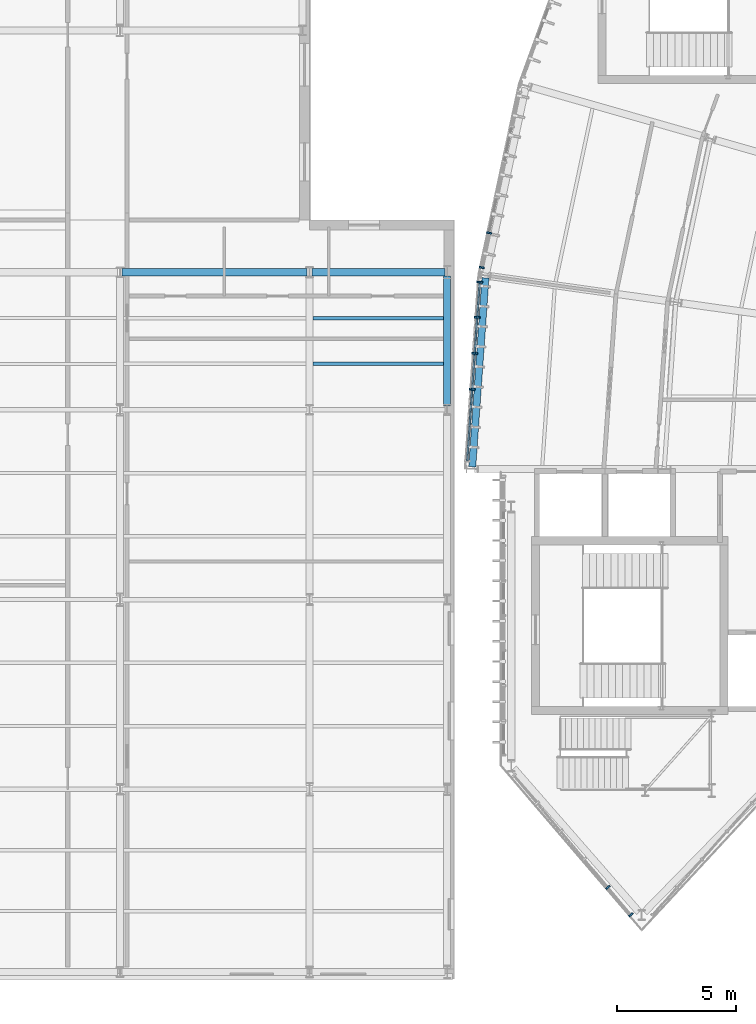
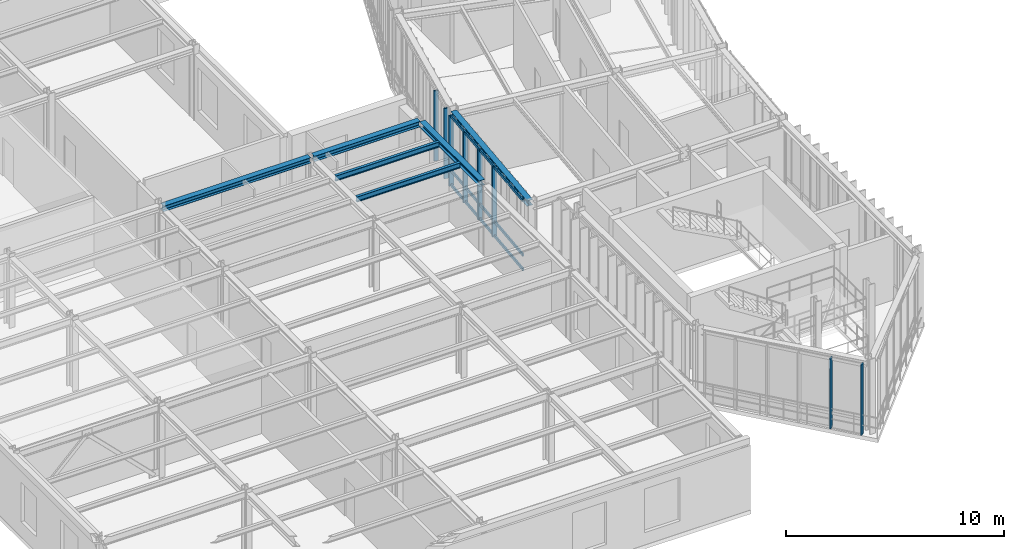
# One storey, part 9 of 57: 11 members, 6 beams, 3 elements without a shape of their own.
"""IFC4 building model written with IfcOpenShell, lengths in metres."""

from ifc_helpers import new_model, si_unit, direction, frame, origin, origin_2d, place, context, subcontext, project, spatial, rectangle, i_section, extrude, material, layer, layer_set, material_profile, profile_set, type_object, element, aggregate, save


model = new_model("IFC4")

# Units and contexts
model_context = context("Model", 3, precision=1e-05, world=origin(), true_north=direction((0.0, 1.0)))
body_context = subcontext(model_context, "Body", "Model", "MODEL_VIEW")
ifc_project = project(units=[si_unit("LENGTHUNIT", "METRE"), si_unit("AREAUNIT", "SQUARE_METRE"), si_unit("VOLUMEUNIT", "CUBIC_METRE"), si_unit("PLANEANGLEUNIT", "RADIAN"), si_unit("MASSUNIT", "GRAM", prefix="KILO"), si_unit("THERMODYNAMICTEMPERATUREUNIT", "KELVIN"), si_unit("POWERUNIT", "WATT")], contexts=[model_context])

# Site, building, storey
site_placement = place(None, origin())
site = spatial("IfcSite", under=ifc_project, at=site_placement, CompositionType="ELEMENT")
building_placement = place(site_placement, origin())
building = spatial("IfcBuilding", under=site, at=building_placement, Name="Solvatero Civic Police Headquarters", CompositionType="ELEMENT")
storey_placement = place(building_placement, frame((0.0, 0.0, 9.300048828125)))
storey = spatial("IfcBuildingStorey", under=building, at=storey_placement, Name="L02", CompositionType="ELEMENT", Elevation=9.300048828125)

# Beams
ifc_material_1 = material(Name="Steel S355", Category="steel")
ifc_material_profile_1 = material_profile(ifc_material_1, i_section(OverallWidth=0.300048828125, OverallDepth=0.31005859375, WebThickness=0.009033203125, FlangeThickness=0.015380859375, FilletRadius=0.027099609375, at=origin_2d()), Name="HEA 320")
ifc_profile_set_1 = profile_set([ifc_material_profile_1], Name="Steel S355")
beam_type_1 = type_object("IfcBeamType", Name="BM-ST-HEA320", PredefinedType="SPANDREL", material=ifc_profile_set_1)
beam_1_placement = place(storey_placement, frame((20.60009765625, 34.300048828125, 3.784912109375), z_axis=(1.0, 0.0, 0.0), x_axis=(0.0, 1.0, 0.0)))
element("IfcBeam", 1, at=beam_1_placement, inside=storey, type_object=beam_type_1, Name="Perimeter / radial spandrel beam BM-R2-L02-V4E-GX-1-5", PredefinedType="SPANDREL", context=body_context, shape_type="SweptSolid", body=[
    extrude(i_section(OverallWidth=0.300048828125, OverallDepth=0.31005859375, WebThickness=0.009033203125, FlangeThickness=0.015380859375, FilletRadius=0.027099609375, at=origin_2d()), origin(), (0.0, 0.0, 1.0), 7.7998046875),
])
beam_2_placement = place(storey_placement, frame((28.60009765625, 34.300048828125, 3.784912109375), z_axis=(1.0, 0.0, 0.0), x_axis=(0.0, 1.0, 0.0)))
element("IfcBeam", 2, at=beam_2_placement, inside=storey, type_object=beam_type_1, Name="Perimeter / radial spandrel beam BM-R2-L02-V4E-GX-2-5", PredefinedType="SPANDREL", context=body_context, shape_type="SweptSolid", body=[
    extrude(i_section(OverallWidth=0.300048828125, OverallDepth=0.31005859375, WebThickness=0.009033203125, FlangeThickness=0.015380859375, FilletRadius=0.027099609375, at=origin_2d()), origin(), (0.0, 0.0, 1.0), 5.599853515625),
])
beam_3_placement = place(storey_placement, frame((34.300048828125, 28.659912109375, 3.784912109375), z_axis=(0.0, 1.0, 0.0), x_axis=(-1.0, 0.0, 0.0)))
element("IfcBeam", 3, at=beam_3_placement, inside=storey, type_object=beam_type_1, Name="Perimeter / radial spandrel beam BM-R2-L02-V4E-GY-3-4", PredefinedType="SPANDREL", context=body_context, shape_type="SweptSolid", body=[
    extrude(i_section(OverallWidth=0.300048828125, OverallDepth=0.31005859375, WebThickness=0.009033203125, FlangeThickness=0.015380859375, FilletRadius=0.027099609375, at=origin_2d()), origin(), (0.0, 0.0, 1.0), 5.47998046875),
])
beam_4_placement = place(storey_placement, frame((35.913818359375, 34.062744140625, 3.844970703125), z_axis=(-0.06976460332, -0.997563481751, 0.0), x_axis=(0.997563481751, -0.06976460332, 0.0)))
element("IfcBeam", 4, at=beam_4_placement, inside=storey, type_object=beam_type_1, Name="Perimeter / radial spandrel beam BM-R2-L02-ARC-COUT-B12", PredefinedType="SPANDREL", context=body_context, shape_type="SweptSolid", body=[
    extrude(i_section(OverallWidth=0.300048828125, OverallDepth=0.31005859375, WebThickness=0.009033203125, FlangeThickness=0.015380859375, FilletRadius=0.027099609375, at=origin_2d()), origin(), (0.0, 0.0, 1.0), 7.982421875),
])
ifc_material_profile_2 = material_profile(ifc_material_1, i_section(OverallWidth=0.14990234375, OverallDepth=0.300048828125, WebThickness=0.007080078125, FlangeThickness=0.0107421875, FilletRadius=0.014892578125, at=origin_2d()), Name="IPE 300")
ifc_profile_set_2 = profile_set([ifc_material_profile_2], Name="Steel S355")
beam_type_2 = type_object("IfcBeamType", Name="BM-ST-IPE300", PredefinedType="BEAM", material=ifc_profile_set_2)
for number, where, z_axis, x_axis, name in (
    (5, (28.64990234375, 30.433349609375, 3.7900390625), (1.0, 0.0, 0.0), (0.0, 1.0, 0.0), "Composite floor beam BM-R2-L02-V4E-SEC-2-4-S1"),
    (6, (28.64990234375, 32.36669921875, 3.7900390625), (1.0, 0.0, 0.0), (0.0, 1.0, 0.0), "Composite floor beam BM-R2-L02-V4E-SEC-2-4-S2"),
):
    element("IfcBeam", number, at=place(storey_placement, frame(where, z_axis=z_axis, x_axis=x_axis)), inside=storey, type_object=beam_type_2, Name=name, PredefinedType="BEAM", context=body_context, shape_type="SweptSolid", body=[
        extrude(i_section(OverallWidth=0.14990234375, OverallDepth=0.300048828125, WebThickness=0.007080078125, FlangeThickness=0.0107421875, FilletRadius=0.014892578125, at=origin_2d()), origin(), (0.0, 0.0, 1.0), 5.5),
    ])

# Curtain wall, members
ifc_material_2 = material(Name="Anodized Bronze Aluminium", Category="aluminium")
ifc_layer_1 = layer(ifc_material_2, 0.179931640625)
ifc_layer_set_1 = layer_set([ifc_layer_1], Name="Anodized Bronze Aluminium")
curtain_wall_type_1 = type_object("IfcCurtainWallType", Name="CW-ARC-OUT", PredefinedType="USERDEFINED", material=ifc_layer_set_1)
curtain_wall_1_placement = place(storey_placement, origin())
curtain_wall_1 = element("IfcCurtainWall", 7, at=curtain_wall_1_placement, inside=storey, type_object=curtain_wall_type_1, Name="Curtain Wall CW-R2-L02-ARC-OUT-B12", ObjectType="UNITISED", PredefinedType="USERDEFINED")
ifc_material_profile_3 = material_profile(ifc_material_2, rectangle(XDim=0.080078125, YDim=0.239990234375, at=origin_2d()), Name="ALU MULLION 80x240")
ifc_profile_set_3 = profile_set([ifc_material_profile_3], Name="Anodized Bronze Aluminium")
member_type_1 = type_object("IfcMemberType", Name="CWM-140x60", PredefinedType="MULLION", material=ifc_profile_set_3)
member_1_placement = place(storey_placement, frame((35.671142578125, 33.88330078125, 0.0), z_axis=(0.0, 0.0, 1.0), x_axis=(-0.069756473744, -0.99756405026, 0.0)))
member_1 = element("IfcMember", 8, at=member_1_placement, type_object=member_type_1, Name="CW-R2-L02-ARC-OUT-B12 Mullion 1", PredefinedType="MULLION", context=body_context, shape_type="SweptSolid", body=[
    extrude(rectangle(XDim=0.080078125, YDim=0.239990234375, at=origin_2d()), origin(), (0.0, 0.0, 1.0), 3.93994140625),
])
member_2_placement = place(storey_placement, frame((35.5673828125, 32.399658203125, 0.0), z_axis=(0.0, 0.0, 1.0), x_axis=(-0.069756473744, -0.99756405026, 0.0)))
member_2 = element("IfcMember", 9, at=member_2_placement, type_object=member_type_1, Name="CW-R2-L02-ARC-OUT-B12 Mullion 2", PredefinedType="MULLION", context=body_context, shape_type="SweptSolid", body=[
    extrude(rectangle(XDim=0.080078125, YDim=0.239990234375, at=origin_2d()), origin(), (0.0, 0.0, 1.0), 3.93994140625),
])
member_3_placement = place(storey_placement, frame((35.4609375, 30.8759765625, 0.0), z_axis=(0.0, 0.0, 1.0), x_axis=(-0.069756473744, -0.99756405026, 0.0)))
member_3 = element("IfcMember", 10, at=member_3_placement, type_object=member_type_1, Name="CW-R2-L02-ARC-OUT-B12 Mullion 3", PredefinedType="MULLION", context=body_context, shape_type="SweptSolid", body=[
    extrude(rectangle(XDim=0.080078125, YDim=0.239990234375, at=origin_2d()), origin(), (0.0, 0.0, 1.0), 3.93994140625),
])
member_4_placement = place(storey_placement, frame((35.3544921875, 29.3525390625, 0.0), z_axis=(0.0, 0.0, 1.0), x_axis=(-0.069756473744, -0.99756405026, 0.0)))
member_4 = element("IfcMember", 11, at=member_4_placement, type_object=member_type_1, Name="CW-R2-L02-ARC-OUT-B12 Mullion 4", PredefinedType="MULLION", context=body_context, shape_type="SweptSolid", body=[
    extrude(rectangle(XDim=0.080078125, YDim=0.239990234375, at=origin_2d()), origin(), (0.0, 0.0, 1.0), 3.93994140625),
])

curtain_wall_2_placement = place(storey_placement, origin())
curtain_wall_2 = element("IfcCurtainWall", 12, at=curtain_wall_2_placement, inside=storey, type_object=curtain_wall_type_1, Name="Curtain Wall CW-R2-L02-ARC-OUT-B11", ObjectType="UNITISED", PredefinedType="USERDEFINED")
ifc_material_profile_4 = material_profile(ifc_material_2, rectangle(XDim=0.074951171875, YDim=0.219970703125, at=origin_2d()), Name="ALU MULLION 75x220")
ifc_profile_set_4 = profile_set([ifc_material_profile_4], Name="Anodized Bronze Aluminium")
member_type_2 = type_object("IfcMemberType", Name="CWM-250x85", PredefinedType="MULLION", material=ifc_profile_set_4)
member_5_placement = place(storey_placement, frame((36.067626953125, 35.956787109375, 0.0), z_axis=(0.0, 0.0, 1.0), x_axis=(-0.207911690818, -0.978147600734, 0.0)))
member_5 = element("IfcMember", 13, at=member_5_placement, type_object=member_type_2, Name="CW-R2-L02-ARC-OUT-B11 Mullion 5", PredefinedType="MULLION", context=body_context, shape_type="SweptSolid", body=[
    extrude(rectangle(XDim=0.074951171875, YDim=0.219970703125, at=origin_2d()), origin(), (0.0, 0.0, 1.0), 3.93994140625),
])
member_6_placement = place(storey_placement, frame((35.7578125, 34.499755859375, 0.0), z_axis=(0.0, 0.0, 1.0), x_axis=(-0.207911690818, -0.978147600734, 0.0)))
member_6 = element("IfcMember", 14, at=member_6_placement, type_object=member_type_2, Name="CW-R2-L02-ARC-OUT-B11 Mullion 6", PredefinedType="MULLION", context=body_context, shape_type="SweptSolid", body=[
    extrude(rectangle(XDim=0.074951171875, YDim=0.219970703125, at=origin_2d()), origin(), (0.0, 0.0, 1.0), 3.93994140625),
])
aggregate(curtain_wall_2, [member_5, member_6])

ifc_layer_2 = layer(ifc_material_2, 0.179931640625)
ifc_layer_set_2 = layer_set([ifc_layer_2], Name="Anodized Bronze Aluminium")
curtain_wall_type_2 = type_object("IfcCurtainWallType", Name="CW-PROW-GLZ", PredefinedType="USERDEFINED", material=ifc_layer_set_2)
curtain_wall_3_placement = place(storey_placement, origin())
curtain_wall_3 = element("IfcCurtainWall", 15, at=curtain_wall_3_placement, inside=storey, type_object=curtain_wall_type_2, Name="Curtain Wall CW-R2-L02-PROW-SW", ObjectType="UNITISED", PredefinedType="USERDEFINED")
member_7_placement = place(storey_placement, frame((41.07470703125, 8.360107421875, 0.0), z_axis=(0.0, 0.0, 1.0), x_axis=(0.643282165541, -0.765629189293, 0.0)))
member_7 = element("IfcMember", 16, at=member_7_placement, type_object=member_type_2, Name="CW-R2-L02-PROW-SW Mullion 5", PredefinedType="MULLION", context=body_context, shape_type="SweptSolid", body=[
    extrude(rectangle(XDim=0.074951171875, YDim=0.219970703125, at=origin_2d()), origin(), (0.0, 0.0, 1.0), 3.93994140625),
])
member_8_placement = place(storey_placement, frame((42.04541015625, 7.20458984375, 0.0), z_axis=(0.0, 0.0, 1.0), x_axis=(0.643282165541, -0.765629189293, 0.0)))
member_8 = element("IfcMember", 17, at=member_8_placement, type_object=member_type_2, Name="CW-R2-L02-PROW-SW Mullion 6", PredefinedType="MULLION", context=body_context, shape_type="SweptSolid", body=[
    extrude(rectangle(XDim=0.074951171875, YDim=0.219970703125, at=origin_2d()), origin(), (0.0, 0.0, 1.0), 3.93994140625),
])
aggregate(curtain_wall_3, [member_7, member_8])

# Member
ifc_material_profile_5 = material_profile(ifc_material_2, rectangle(XDim=0.070068359375, YDim=0.159912109375, at=origin_2d()), Name="ALU TRANSOM 70x160")
ifc_profile_set_5 = profile_set([ifc_material_profile_5], Name="Anodized Bronze Aluminium")
member_type_3 = type_object("IfcMemberType", Name="CWT-120x55", PredefinedType="USERDEFINED", material=ifc_profile_set_5)
member_9_placement = place(storey_placement, frame((35.67041015625, 33.873291015625, 0.0400390625), z_axis=(-0.069745956468, -0.997564785644, 0.0), x_axis=(0.997564785644, -0.069745956468, 0.0)))
member_9 = element("IfcMember", 18, at=member_9_placement, type_object=member_type_3, Name="CW-R2-L02-ARC-OUT-B12 Transom 1", ObjectType="TRANSOM", PredefinedType="USERDEFINED", context=body_context, shape_type="SweptSolid", body=[
    extrude(rectangle(XDim=0.070068359375, YDim=0.159912109375, at=origin_2d()), origin(), (0.0, 0.0, 1.0), 7.536376953125),
])

member_10_placement = place(storey_placement, frame((35.67041015625, 33.873291015625, 0.849853515625), z_axis=(-0.069745956468, -0.997564785644, 0.0), x_axis=(0.997564785644, -0.069745956468, 0.0)))
member_10 = element("IfcMember", 19, at=member_10_placement, type_object=member_type_3, Name="CW-R2-L02-ARC-OUT-B12 Transom 2", ObjectType="TRANSOM", PredefinedType="USERDEFINED", context=body_context, shape_type="SweptSolid", body=[
    extrude(rectangle(XDim=0.070068359375, YDim=0.159912109375, at=origin_2d()), origin(), (0.0, 0.0, 1.0), 7.536376953125),
])

member_11_placement = place(storey_placement, frame((35.67041015625, 33.873291015625, 3.89990234375), z_axis=(-0.069745956468, -0.997564785644, 0.0), x_axis=(0.997564785644, -0.069745956468, 0.0)))
member_11 = element("IfcMember", 20, at=member_11_placement, type_object=member_type_3, Name="CW-R2-L02-ARC-OUT-B12 Transom 3", ObjectType="TRANSOM", PredefinedType="USERDEFINED", context=body_context, shape_type="SweptSolid", body=[
    extrude(rectangle(XDim=0.070068359375, YDim=0.159912109375, at=origin_2d()), origin(), (0.0, 0.0, 1.0), 7.536376953125),
])

aggregate(curtain_wall_1, [member_1, member_2, member_3, member_4, member_9, member_10, member_11])

save(model, "model.ifc")
